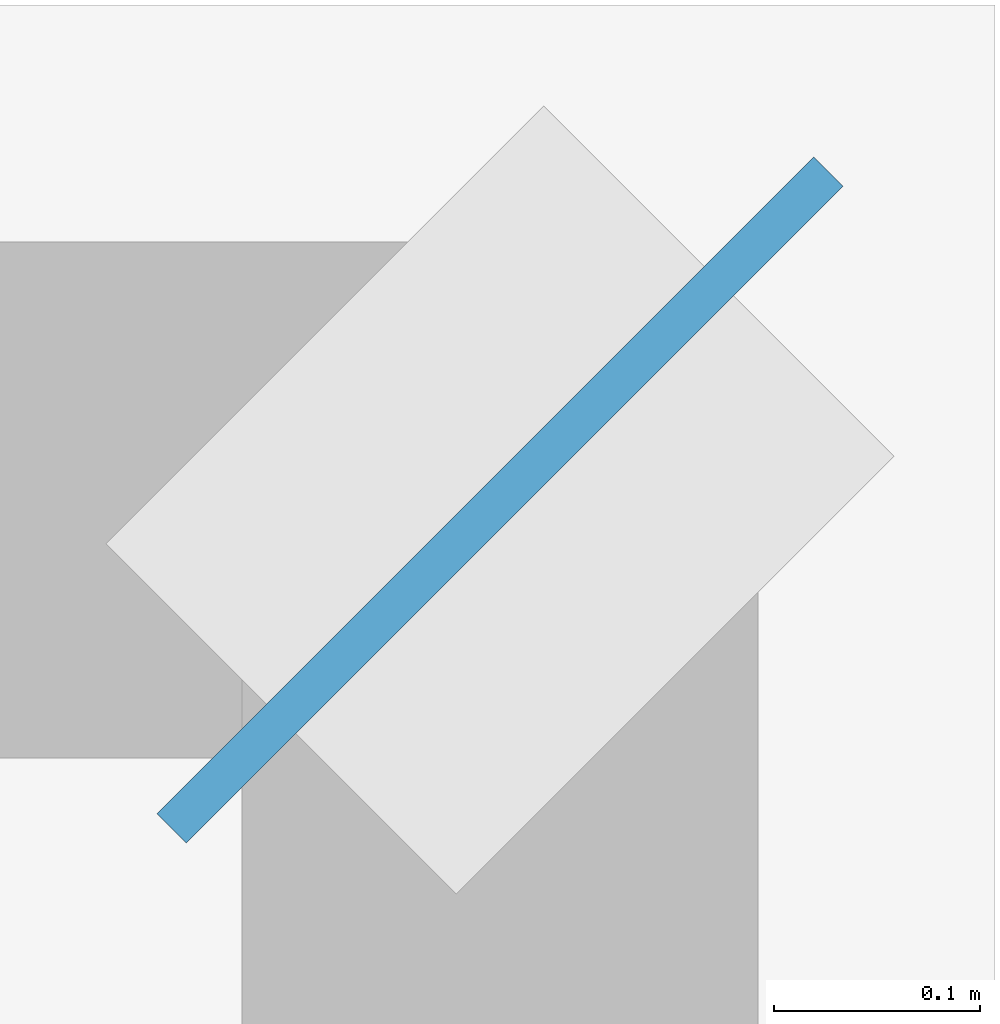
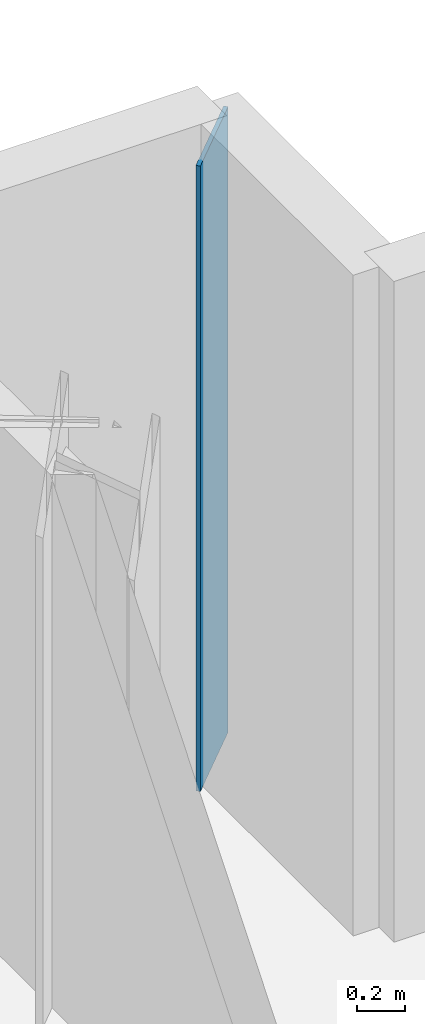
# One storey, part 32 of 41: 1 plate.
"""IFC4 building model written with IfcOpenShell, lengths in metres."""

from ifc_helpers import new_model, si_unit, direction, frame, origin, origin_2d, place, context, subcontext, project, spatial, rectangle, extrude, source, transform, mapped, material, layer, layer_set, type_object, element, save


model = new_model("IFC4")

# Units and contexts
model_context = context("Model", 3, precision=1e-05, world=origin(), true_north=direction((0.0, 1.0)))
body_context = subcontext(model_context, "Body", "Model", "MODEL_VIEW")
ifc_project = project(units=[si_unit("LENGTHUNIT", "METRE"), si_unit("AREAUNIT", "SQUARE_METRE"), si_unit("VOLUMEUNIT", "CUBIC_METRE"), si_unit("PLANEANGLEUNIT", "RADIAN"), si_unit("MASSUNIT", "GRAM", prefix="KILO")], contexts=[model_context])

# Site, building, storey
site_placement = place(None, origin())
site = spatial("IfcSite", under=ifc_project, at=site_placement, CompositionType="ELEMENT")
building_placement = place(site_placement, origin())
building = spatial("IfcBuilding", under=site, at=building_placement, Name="Nahalor Promenade Grand Hotel", CompositionType="ELEMENT")
storey_placement = place(building_placement, frame((0.0, 0.0, 113.85009765625)))
storey = spatial("IfcBuildingStorey", under=building, at=storey_placement, Name="L28", CompositionType="ELEMENT", Elevation=113.85009765625)

# Plate
ifc_material = material(Name="Anodised Bronze Aluminium EN AW-6063 T6", Category="aluminium")
ifc_layer = layer(ifc_material, 0.02001953125)
ifc_layer_set = layer_set([ifc_layer], Name="Anodised Bronze Aluminium EN AW-6063 T6")
plate_type = type_object("IfcPlateType", Name="Plate-CornerFin-20", PredefinedType="SHEET", material=ifc_layer_set)
shared_shape = source(origin(), body_context, "Body", "SweptSolid", [
    extrude(rectangle(XDim=0.449951171875, YDim=0.02001953125, at=origin_2d()), origin(), (0.0, 0.0, 1.0), 3.199951171875),
])
plate_placement = place(storey_placement, frame((22.4599609375, 22.4599609375, 0.0), z_axis=(0.0, 0.0, 1.0), x_axis=(0.707106781187, 0.707106781187, 0.0)))
element("IfcPlate", 1, at=plate_placement, inside=storey, type_object=plate_type, Name="FIN-L28-NE", PredefinedType="SHEET", context=body_context, shape_type="MappedRepresentation", body=[
    mapped(shared_shape, transform((0.0, 0.0, 0.0), scale=1.0)),
])

save(model, "model.ifc")
